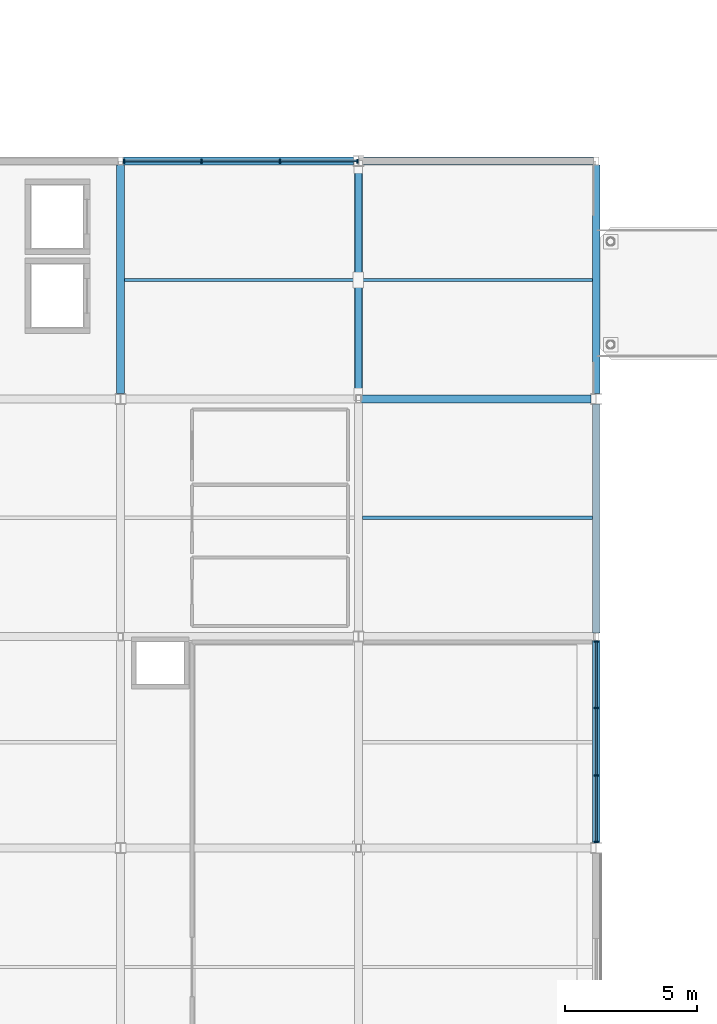
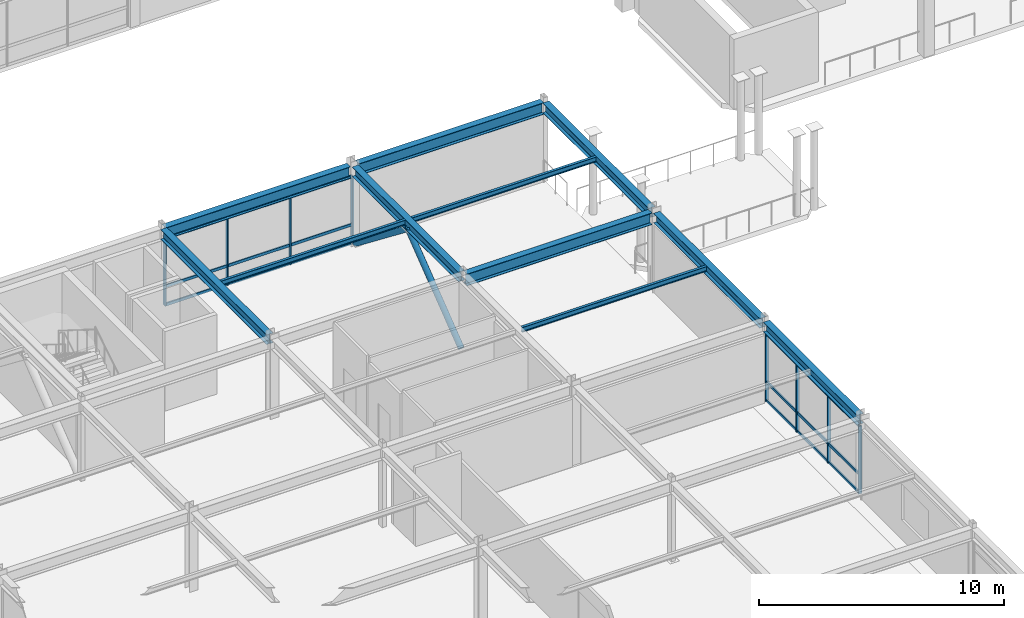
# One storey, part 30 of 105: 28 members, 11 beams, 2 elements without a shape of their own.
"""IFC4 building model written with IfcOpenShell, lengths in metres."""

from ifc_helpers import new_model, si_unit, direction, frame, origin, origin_2d, place, context, subcontext, project, spatial, rectangle, hollow_circle, i_section, extrude, material, material_profile, profile_set, type_object, element, aggregate, save


model = new_model("IFC4")

# Units and contexts
model_context = context("Model", 3, precision=1e-05, world=origin(), true_north=direction((0.0, 1.0)))
body_context = subcontext(model_context, "Body", "Model", "MODEL_VIEW")
ifc_project = project(units=[si_unit("LENGTHUNIT", "METRE"), si_unit("AREAUNIT", "SQUARE_METRE"), si_unit("VOLUMEUNIT", "CUBIC_METRE"), si_unit("PLANEANGLEUNIT", "RADIAN"), si_unit("MASSUNIT", "GRAM", prefix="KILO")], contexts=[model_context])

# Site, building, storey
site_placement = place(None, origin())
site = spatial("IfcSite", under=ifc_project, at=site_placement, CompositionType="ELEMENT")
building_placement = place(site_placement, origin())
building = spatial("IfcBuilding", under=site, at=building_placement, Name="Suzunagisa Mobility Hub", CompositionType="ELEMENT")
storey_placement = place(building_placement, frame((0.0, 0.0, 5.10009765625)))
storey = spatial("IfcBuildingStorey", under=building, at=storey_placement, Name="L01", CompositionType="ELEMENT", Elevation=5.10009765625)

# Curtain wall, members
ifc_material_1 = material(Name="Thermally Broken Anodized Aluminum and Low-E Glazing", Category="aluminium")
curtain_wall_type_1 = type_object("IfcCurtainWallType", Name="Unitised Curtain Wall CW-28 7750x3400", PredefinedType="USERDEFINED", material=ifc_material_1)
curtain_wall_1_placement = place(storey_placement, origin())
curtain_wall_1 = element("IfcCurtainWall", 1, at=curtain_wall_1_placement, inside=storey, type_object=curtain_wall_type_1, Name="L01 Unitised Curtain Wall CW-16", ObjectType="UNITISED CURTAIN WALL", PredefinedType="USERDEFINED")
ifc_material_2 = material(Name="Anodized Aluminum 6063-T6", Category="aluminium")
ifc_material_profile_1 = material_profile(ifc_material_2, rectangle(XDim=0.06494140625, YDim=0.139892578125, at=origin_2d()), Name="TRAN-65x140")
ifc_profile_set_1 = profile_set([ifc_material_profile_1], Name="Anodized Aluminum 6063-T6")
member_type_1 = type_object("IfcMemberType", Name="Curtain Wall Framing CM-01 TRAN-65x140", PredefinedType="USERDEFINED", material=ifc_profile_set_1)
member_1_placement = place(storey_placement, frame((36.0, 36.258056640625, 0.032470703125), z_axis=(0.0, 1.0, 0.0), x_axis=(-1.0, 0.0, 0.0)))
member_1 = element("IfcMember", 2, at=member_1_placement, type_object=member_type_1, Name="Curtain Wall Transom 16-T1.1", ObjectType="TRANSOM", PredefinedType="USERDEFINED", context=body_context, shape_type="SweptSolid", body=[
    extrude(rectangle(XDim=0.06494140625, YDim=0.139892578125, at=origin_2d()), origin(), (0.0, 0.0, 1.0), 2.4638671875),
])
member_2_placement = place(storey_placement, frame((36.0, 36.258056640625, 0.949951171875), z_axis=(0.0, 1.0, 0.0), x_axis=(-1.0, 0.0, 0.0)))
member_2 = element("IfcMember", 3, at=member_2_placement, type_object=member_type_1, Name="Curtain Wall Transom 16-T1.2", ObjectType="TRANSOM", PredefinedType="USERDEFINED", context=body_context, shape_type="SweptSolid", body=[
    extrude(rectangle(XDim=0.06494140625, YDim=0.139892578125, at=origin_2d()), origin(), (0.0, 0.0, 1.0), 2.4638671875),
])
member_3_placement = place(storey_placement, frame((36.0, 36.258056640625, 3.33935546875), z_axis=(0.0, 1.0, 0.0), x_axis=(-1.0, 0.0, 0.0)))
member_3 = element("IfcMember", 4, at=member_3_placement, type_object=member_type_1, Name="Curtain Wall Transom 16-T1.3", ObjectType="TRANSOM", PredefinedType="USERDEFINED", context=body_context, shape_type="SweptSolid", body=[
    extrude(rectangle(XDim=0.06494140625, YDim=0.139892578125, at=origin_2d()), origin(), (0.0, 0.0, 1.0), 2.4638671875),
])
member_4_placement = place(storey_placement, frame((36.0, 38.778076171875, 0.032470703125), z_axis=(0.0, 1.0, 0.0), x_axis=(-1.0, 0.0, 0.0)))
member_4 = element("IfcMember", 5, at=member_4_placement, type_object=member_type_1, Name="Curtain Wall Transom 16-T2.1", ObjectType="TRANSOM", PredefinedType="USERDEFINED", context=body_context, shape_type="SweptSolid", body=[
    extrude(rectangle(XDim=0.06494140625, YDim=0.139892578125, at=origin_2d()), origin(), (0.0, 0.0, 1.0), 2.493896484375),
])
member_5_placement = place(storey_placement, frame((36.0, 38.778076171875, 0.949951171875), z_axis=(0.0, 1.0, 0.0), x_axis=(-1.0, 0.0, 0.0)))
member_5 = element("IfcMember", 6, at=member_5_placement, type_object=member_type_1, Name="Curtain Wall Transom 16-T2.2", ObjectType="TRANSOM", PredefinedType="USERDEFINED", context=body_context, shape_type="SweptSolid", body=[
    extrude(rectangle(XDim=0.06494140625, YDim=0.139892578125, at=origin_2d()), origin(), (0.0, 0.0, 1.0), 2.493896484375),
])
member_6_placement = place(storey_placement, frame((36.0, 38.778076171875, 3.33935546875), z_axis=(0.0, 1.0, 0.0), x_axis=(-1.0, 0.0, 0.0)))
member_6 = element("IfcMember", 7, at=member_6_placement, type_object=member_type_1, Name="Curtain Wall Transom 16-T2.3", ObjectType="TRANSOM", PredefinedType="USERDEFINED", context=body_context, shape_type="SweptSolid", body=[
    extrude(rectangle(XDim=0.06494140625, YDim=0.139892578125, at=origin_2d()), origin(), (0.0, 0.0, 1.0), 2.493896484375),
])
member_7_placement = place(storey_placement, frame((36.0, 41.327880859375, 0.032470703125), z_axis=(0.0, 1.0, 0.0), x_axis=(-1.0, 0.0, 0.0)))
member_7 = element("IfcMember", 8, at=member_7_placement, type_object=member_type_1, Name="Curtain Wall Transom 16-T3.1", ObjectType="TRANSOM", PredefinedType="USERDEFINED", context=body_context, shape_type="SweptSolid", body=[
    extrude(rectangle(XDim=0.06494140625, YDim=0.139892578125, at=origin_2d()), origin(), (0.0, 0.0, 1.0), 2.464111328125),
])
member_8_placement = place(storey_placement, frame((36.0, 41.327880859375, 0.949951171875), z_axis=(0.0, 1.0, 0.0), x_axis=(-1.0, 0.0, 0.0)))
member_8 = element("IfcMember", 9, at=member_8_placement, type_object=member_type_1, Name="Curtain Wall Transom 16-T3.2", ObjectType="TRANSOM", PredefinedType="USERDEFINED", context=body_context, shape_type="SweptSolid", body=[
    extrude(rectangle(XDim=0.06494140625, YDim=0.139892578125, at=origin_2d()), origin(), (0.0, 0.0, 1.0), 2.464111328125),
])
member_9_placement = place(storey_placement, frame((36.0, 41.327880859375, 3.33935546875), z_axis=(0.0, 1.0, 0.0), x_axis=(-1.0, 0.0, 0.0)))
member_9 = element("IfcMember", 10, at=member_9_placement, type_object=member_type_1, Name="Curtain Wall Transom 16-T3.3", ObjectType="TRANSOM", PredefinedType="USERDEFINED", context=body_context, shape_type="SweptSolid", body=[
    extrude(rectangle(XDim=0.06494140625, YDim=0.139892578125, at=origin_2d()), origin(), (0.0, 0.0, 1.0), 2.464111328125),
])

curtain_wall_type_2 = type_object("IfcCurtainWallType", Name="Unitised Curtain Wall CW-41 9000x3400", PredefinedType="USERDEFINED", material=ifc_material_1)
curtain_wall_2_placement = place(storey_placement, origin())
curtain_wall_2 = element("IfcCurtainWall", 11, at=curtain_wall_2_placement, inside=storey, type_object=curtain_wall_type_2, Name="L01 Unitised Curtain Wall CW-17", ObjectType="UNITISED CURTAIN WALL", PredefinedType="USERDEFINED")
member_10_placement = place(storey_placement, frame((26.9375, 62.0, 0.032470703125), z_axis=(-1.0, 0.0, 0.0), x_axis=(0.0, -1.0, 0.0)))
member_10 = element("IfcMember", 12, at=member_10_placement, type_object=member_type_1, Name="Curtain Wall Transom 17-T1.1", ObjectType="TRANSOM", PredefinedType="USERDEFINED", context=body_context, shape_type="SweptSolid", body=[
    extrude(rectangle(XDim=0.06494140625, YDim=0.139892578125, at=origin_2d()), origin(), (0.0, 0.0, 1.0), 2.879150390625),
])
member_11_placement = place(storey_placement, frame((26.9375, 62.0, 0.949951171875), z_axis=(-1.0, 0.0, 0.0), x_axis=(0.0, -1.0, 0.0)))
member_11 = element("IfcMember", 13, at=member_11_placement, type_object=member_type_1, Name="Curtain Wall Transom 17-T1.2", ObjectType="TRANSOM", PredefinedType="USERDEFINED", context=body_context, shape_type="SweptSolid", body=[
    extrude(rectangle(XDim=0.06494140625, YDim=0.139892578125, at=origin_2d()), origin(), (0.0, 0.0, 1.0), 2.879150390625),
])
member_12_placement = place(storey_placement, frame((26.9375, 62.0, 3.33935546875), z_axis=(-1.0, 0.0, 0.0), x_axis=(0.0, -1.0, 0.0)))
member_12 = element("IfcMember", 14, at=member_12_placement, type_object=member_type_1, Name="Curtain Wall Transom 17-T1.3", ObjectType="TRANSOM", PredefinedType="USERDEFINED", context=body_context, shape_type="SweptSolid", body=[
    extrude(rectangle(XDim=0.06494140625, YDim=0.139892578125, at=origin_2d()), origin(), (0.0, 0.0, 1.0), 2.879150390625),
])
member_13_placement = place(storey_placement, frame((24.002197265625, 62.0, 0.032470703125), z_axis=(-1.0, 0.0, 0.0), x_axis=(0.0, -1.0, 0.0)))
member_13 = element("IfcMember", 15, at=member_13_placement, type_object=member_type_1, Name="Curtain Wall Transom 17-T2.1", ObjectType="TRANSOM", PredefinedType="USERDEFINED", context=body_context, shape_type="SweptSolid", body=[
    extrude(rectangle(XDim=0.06494140625, YDim=0.139892578125, at=origin_2d()), origin(), (0.0, 0.0, 1.0), 2.908935546875),
])
member_14_placement = place(storey_placement, frame((24.002197265625, 62.0, 0.949951171875), z_axis=(-1.0, 0.0, 0.0), x_axis=(0.0, -1.0, 0.0)))
member_14 = element("IfcMember", 16, at=member_14_placement, type_object=member_type_1, Name="Curtain Wall Transom 17-T2.2", ObjectType="TRANSOM", PredefinedType="USERDEFINED", context=body_context, shape_type="SweptSolid", body=[
    extrude(rectangle(XDim=0.06494140625, YDim=0.139892578125, at=origin_2d()), origin(), (0.0, 0.0, 1.0), 2.908935546875),
])
member_15_placement = place(storey_placement, frame((24.002197265625, 62.0, 3.33935546875), z_axis=(-1.0, 0.0, 0.0), x_axis=(0.0, -1.0, 0.0)))
member_15 = element("IfcMember", 17, at=member_15_placement, type_object=member_type_1, Name="Curtain Wall Transom 17-T2.3", ObjectType="TRANSOM", PredefinedType="USERDEFINED", context=body_context, shape_type="SweptSolid", body=[
    extrude(rectangle(XDim=0.06494140625, YDim=0.139892578125, at=origin_2d()), origin(), (0.0, 0.0, 1.0), 2.908935546875),
])
member_16_placement = place(storey_placement, frame((21.037109375, 62.0, 0.032470703125), z_axis=(-1.0, 0.0, 0.0), x_axis=(0.0, -1.0, 0.0)))
member_16 = element("IfcMember", 18, at=member_16_placement, type_object=member_type_1, Name="Curtain Wall Transom 17-T3.1", ObjectType="TRANSOM", PredefinedType="USERDEFINED", context=body_context, shape_type="SweptSolid", body=[
    extrude(rectangle(XDim=0.06494140625, YDim=0.139892578125, at=origin_2d()), origin(), (0.0, 0.0, 1.0), 2.879150390625),
])
member_17_placement = place(storey_placement, frame((21.037109375, 62.0, 0.949951171875), z_axis=(-1.0, 0.0, 0.0), x_axis=(0.0, -1.0, 0.0)))
member_17 = element("IfcMember", 19, at=member_17_placement, type_object=member_type_1, Name="Curtain Wall Transom 17-T3.2", ObjectType="TRANSOM", PredefinedType="USERDEFINED", context=body_context, shape_type="SweptSolid", body=[
    extrude(rectangle(XDim=0.06494140625, YDim=0.139892578125, at=origin_2d()), origin(), (0.0, 0.0, 1.0), 2.879150390625),
])
member_18_placement = place(storey_placement, frame((21.037109375, 62.0, 3.33935546875), z_axis=(-1.0, 0.0, 0.0), x_axis=(0.0, -1.0, 0.0)))
member_18 = element("IfcMember", 20, at=member_18_placement, type_object=member_type_1, Name="Curtain Wall Transom 17-T3.3", ObjectType="TRANSOM", PredefinedType="USERDEFINED", context=body_context, shape_type="SweptSolid", body=[
    extrude(rectangle(XDim=0.06494140625, YDim=0.139892578125, at=origin_2d()), origin(), (0.0, 0.0, 1.0), 2.879150390625),
])

# Member
ifc_material_profile_2 = material_profile(ifc_material_2, rectangle(XDim=0.06005859375, YDim=0.14990234375, at=origin_2d()), Name="MULL-60x150")
ifc_profile_set_2 = profile_set([ifc_material_profile_2], Name="Anodized Aluminum 6063-T6")
member_type_2 = type_object("IfcMemberType", Name="Curtain Wall Framing CM-03 MULL-60x150", PredefinedType="MULLION", material=ifc_profile_set_2)
member_19_placement = place(storey_placement, frame((36.0, 36.22998046875, 0.0), z_axis=(0.0, 0.0, 1.0), x_axis=(0.0, 1.0, 0.0)))
member_19 = element("IfcMember", 21, at=member_19_placement, type_object=member_type_2, Name="Curtain Wall Mullion 16-M1", PredefinedType="MULLION", context=body_context, shape_type="SweptSolid", body=[
    extrude(rectangle(XDim=0.06005859375, YDim=0.14990234375, at=origin_2d()), origin(), (0.0, 0.0, 1.0), 3.371826171875),
])

member_20_placement = place(storey_placement, frame((36.0, 38.75, 0.0), z_axis=(0.0, 0.0, 1.0), x_axis=(0.0, 1.0, 0.0)))
member_20 = element("IfcMember", 22, at=member_20_placement, type_object=member_type_2, Name="Curtain Wall Mullion 16-M2", PredefinedType="MULLION", context=body_context, shape_type="SweptSolid", body=[
    extrude(rectangle(XDim=0.06005859375, YDim=0.14990234375, at=origin_2d()), origin(), (0.0, 0.0, 1.0), 3.371826171875),
])

member_21_placement = place(storey_placement, frame((36.0, 41.300048828125, 0.0), z_axis=(0.0, 0.0, 1.0), x_axis=(0.0, 1.0, 0.0)))
member_21 = element("IfcMember", 23, at=member_21_placement, type_object=member_type_2, Name="Curtain Wall Mullion 16-M3", PredefinedType="MULLION", context=body_context, shape_type="SweptSolid", body=[
    extrude(rectangle(XDim=0.06005859375, YDim=0.14990234375, at=origin_2d()), origin(), (0.0, 0.0, 1.0), 3.371826171875),
])

member_22_placement = place(storey_placement, frame((36.0, 43.820068359375, 0.0), z_axis=(0.0, 0.0, 1.0), x_axis=(0.0, 1.0, 0.0)))
member_22 = element("IfcMember", 24, at=member_22_placement, type_object=member_type_2, Name="Curtain Wall Mullion 16-M4", PredefinedType="MULLION", context=body_context, shape_type="SweptSolid", body=[
    extrude(rectangle(XDim=0.06005859375, YDim=0.14990234375, at=origin_2d()), origin(), (0.0, 0.0, 1.0), 3.371826171875),
])

aggregate(curtain_wall_1, [member_19, member_20, member_21, member_22, member_1, member_2, member_3, member_4, member_5, member_6, member_7, member_8, member_9])

member_23_placement = place(storey_placement, frame((26.965576171875, 62.0, 0.0), z_axis=(0.0, 0.0, 1.0), x_axis=(-1.0, 0.0, 0.0)))
member_23 = element("IfcMember", 25, at=member_23_placement, type_object=member_type_2, Name="Curtain Wall Mullion 17-M1", PredefinedType="MULLION", context=body_context, shape_type="SweptSolid", body=[
    extrude(rectangle(XDim=0.06005859375, YDim=0.14990234375, at=origin_2d()), origin(), (0.0, 0.0, 1.0), 3.371826171875),
])

member_24_placement = place(storey_placement, frame((24.0302734375, 62.0, 0.0), z_axis=(0.0, 0.0, 1.0), x_axis=(-1.0, 0.0, 0.0)))
member_24 = element("IfcMember", 26, at=member_24_placement, type_object=member_type_2, Name="Curtain Wall Mullion 17-M2", PredefinedType="MULLION", context=body_context, shape_type="SweptSolid", body=[
    extrude(rectangle(XDim=0.06005859375, YDim=0.14990234375, at=origin_2d()), origin(), (0.0, 0.0, 1.0), 3.371826171875),
])

member_25_placement = place(storey_placement, frame((21.065185546875, 62.0, 0.0), z_axis=(0.0, 0.0, 1.0), x_axis=(-1.0, 0.0, 0.0)))
member_25 = element("IfcMember", 27, at=member_25_placement, type_object=member_type_2, Name="Curtain Wall Mullion 17-M3", PredefinedType="MULLION", context=body_context, shape_type="SweptSolid", body=[
    extrude(rectangle(XDim=0.06005859375, YDim=0.14990234375, at=origin_2d()), origin(), (0.0, 0.0, 1.0), 3.371826171875),
])

member_26_placement = place(storey_placement, frame((18.1298828125, 62.0, 0.0), z_axis=(0.0, 0.0, 1.0), x_axis=(-1.0, 0.0, 0.0)))
member_26 = element("IfcMember", 28, at=member_26_placement, type_object=member_type_2, Name="Curtain Wall Mullion 17-M4", PredefinedType="MULLION", context=body_context, shape_type="SweptSolid", body=[
    extrude(rectangle(XDim=0.06005859375, YDim=0.14990234375, at=origin_2d()), origin(), (0.0, 0.0, 1.0), 3.371826171875),
])

aggregate(curtain_wall_2, [member_23, member_24, member_25, member_26, member_10, member_11, member_12, member_13, member_14, member_15, member_16, member_17, member_18])

# Members
ifc_material_3 = material(Name="Steel SN490B", Category="steel")
ifc_material_profile_3 = material_profile(ifc_material_3, hollow_circle(Radius=0.1337890625, WallThickness=0.00927734375, at=origin_2d()), Name="CHS-267.4x9.3")
ifc_profile_set_3 = profile_set([ifc_material_profile_3], Name="Steel SN490B")
member_type_3 = type_object("IfcMemberType", Name="Roof Truss and Brace Member MB-06 CHS-267.4x9.3", PredefinedType="BRACE", material=ifc_profile_set_3)
member_27_placement = place(storey_placement, frame((27.0, 53.169921875, 0.119873046875), z_axis=(0.0, 0.79197780909, 0.610549875039), x_axis=(-1.0, 0.0, 0.0)))
element("IfcMember", 29, at=member_27_placement, inside=storey, type_object=member_type_3, Name="L01 Concentric Lateral Brace BR-11", PredefinedType="BRACE", context=body_context, shape_type="SweptSolid", body=[
    extrude(hollow_circle(Radius=0.1337890625, WallThickness=0.00927734375, at=origin_2d()), origin(), (0.0, 0.0, 1.0), 5.467529296875),
])
member_28_placement = place(storey_placement, frame((27.0, 61.780029296875, 0.119873046875), z_axis=(0.0, -0.788528044406, 0.614998799336), x_axis=(1.0, 0.0, 0.0)))
element("IfcMember", 30, at=member_28_placement, inside=storey, type_object=member_type_3, Name="L01 Concentric Lateral Brace BR-12", PredefinedType="BRACE", context=body_context, shape_type="SweptSolid", body=[
    extrude(hollow_circle(Radius=0.1337890625, WallThickness=0.00927734375, at=origin_2d()), origin(), (0.0, 0.0, 1.0), 5.427978515625),
])

# Beams
ifc_material_profile_4 = material_profile(ifc_material_3, i_section(OverallWidth=0.300048828125, OverallDepth=0.488037109375, WebThickness=0.010986328125, FlangeThickness=0.01806640625, FilletRadius=0.012939453125, at=origin_2d()), Name="H-488x300x11x18")
ifc_profile_set_4 = profile_set([ifc_material_profile_4], Name="Steel SN490B")
beam_type_1 = type_object("IfcBeamType", Name="Steel Beam BM-06 H-488x300x11x18", PredefinedType="BEAM", material=ifc_profile_set_4)
for number, where, z_axis, x_axis, name in (
    (31, (18.0, 53.196044921875, 3.7158203125), (0.0, 1.0, 0.0), (-1.0, 0.0, 0.0), "L01 Primary Girder GY-224"),
    (32, (27.0, 53.14599609375, 3.7158203125), (0.0, 1.0, 0.0), (-1.0, 0.0, 0.0), "L01 Primary Girder GY-230"),
):
    element("IfcBeam", number, at=place(storey_placement, frame(where, z_axis=z_axis, x_axis=x_axis)), inside=storey, type_object=beam_type_1, Name=name, PredefinedType="BEAM", context=body_context, shape_type="SweptSolid", body=[
        extrude(i_section(OverallWidth=0.300048828125, OverallDepth=0.488037109375, WebThickness=0.010986328125, FlangeThickness=0.01806640625, FilletRadius=0.012939453125, at=origin_2d()), origin(), (0.0, 0.0, 1.0), 8.657958984375),
    ])
beam_placement = place(storey_placement, frame((36.0, 36.196044921875, 3.7158203125), z_axis=(0.0, 1.0, 0.0), x_axis=(-1.0, 0.0, 0.0)))
element("IfcBeam", 33, at=beam_placement, inside=storey, type_object=beam_type_1, Name="L01 Primary Girder GY-234", PredefinedType="BEAM", context=body_context, shape_type="SweptSolid", body=[
    extrude(i_section(OverallWidth=0.300048828125, OverallDepth=0.488037109375, WebThickness=0.010986328125, FlangeThickness=0.01806640625, FilletRadius=0.012939453125, at=origin_2d()), origin(), (0.0, 0.0, 1.0), 7.657958984375),
])
for number, where, z_axis, x_axis, name in (
    (34, (36.0, 44.14599609375, 3.7158203125), (0.0, 1.0, 0.0), (-1.0, 0.0, 0.0), "L01 Primary Girder GY-235"),
    (35, (36.0, 53.196044921875, 3.7158203125), (0.0, 1.0, 0.0), (-1.0, 0.0, 0.0), "L01 Primary Girder GY-236"),
):
    element("IfcBeam", number, at=place(storey_placement, frame(where, z_axis=z_axis, x_axis=x_axis)), inside=storey, type_object=beam_type_1, Name=name, PredefinedType="BEAM", context=body_context, shape_type="SweptSolid", body=[
        extrude(i_section(OverallWidth=0.300048828125, OverallDepth=0.488037109375, WebThickness=0.010986328125, FlangeThickness=0.01806640625, FilletRadius=0.012939453125, at=origin_2d()), origin(), (0.0, 0.0, 1.0), 8.657958984375),
    ])
ifc_material_profile_5 = material_profile(ifc_material_3, i_section(OverallWidth=0.300048828125, OverallDepth=0.587890625, WebThickness=0.011962890625, FlangeThickness=0.02001953125, FilletRadius=0.012939453125, at=origin_2d()), Name="H-588x300x12x20")
ifc_profile_set_5 = profile_set([ifc_material_profile_5], Name="Steel SN490B")
beam_type_2 = type_object("IfcBeamType", Name="Steel Beam BM-16 H-588x300x12x20", PredefinedType="BEAM", material=ifc_profile_set_5)
for number, where, z_axis, x_axis, name in (
    (36, (27.095947265625, 53.0, 3.666015625), (1.0, 0.0, 0.0), (0.0, 1.0, 0.0), "L01 Primary Girder GX-203"),
    (37, (18.095947265625, 62.0, 3.666015625), (1.0, 0.0, 0.0), (0.0, 1.0, 0.0), "L01 Primary Girder GX-206"),
    (38, (27.196044921875, 62.0, 3.666015625), (1.0, 0.0, 0.0), (0.0, 1.0, 0.0), "L01 Primary Girder GX-207"),
):
    element("IfcBeam", number, at=place(storey_placement, frame(where, z_axis=z_axis, x_axis=x_axis)), inside=storey, type_object=beam_type_2, Name=name, PredefinedType="BEAM", context=body_context, shape_type="SweptSolid", body=[
        extrude(i_section(OverallWidth=0.300048828125, OverallDepth=0.587890625, WebThickness=0.011962890625, FlangeThickness=0.02001953125, FilletRadius=0.012939453125, at=origin_2d()), origin(), (0.0, 0.0, 1.0), 8.7080078125),
    ])
ifc_material_4 = material(Name="Steel SN400B", Category="steel")
ifc_material_profile_6 = material_profile(ifc_material_4, i_section(OverallWidth=0.125, OverallDepth=0.25, WebThickness=0.006103515625, FlangeThickness=0.009033203125, FilletRadius=0.008056640625, at=origin_2d()), Name="H-250x125x6x9")
ifc_profile_set_6 = profile_set([ifc_material_profile_6], Name="Steel SN400B")
beam_type_3 = type_object("IfcBeamType", Name="Steel Beam BM-21 H-250x125x6x9", PredefinedType="JOIST", material=ifc_profile_set_6)
for number, where, z_axis, x_axis, name in (
    (39, (18.14990234375, 57.5, 3.8349609375), (1.0, 0.0, 0.0), (0.0, 1.0, 0.0), "L01 Composite Floor Joist J-251"),
    (40, (27.14990234375, 48.5, 3.8349609375), (1.0, 0.0, 0.0), (0.0, 1.0, 0.0), "L01 Composite Floor Joist J-256"),
    (41, (27.14990234375, 57.5, 3.8349609375), (1.0, 0.0, 0.0), (0.0, 1.0, 0.0), "L01 Composite Floor Joist J-257"),
):
    element("IfcBeam", number, at=place(storey_placement, frame(where, z_axis=z_axis, x_axis=x_axis)), inside=storey, type_object=beam_type_3, Name=name, PredefinedType="JOIST", context=body_context, shape_type="SweptSolid", body=[
        extrude(i_section(OverallWidth=0.125, OverallDepth=0.25, WebThickness=0.006103515625, FlangeThickness=0.009033203125, FilletRadius=0.008056640625, at=origin_2d()), origin(), (0.0, 0.0, 1.0), 8.7001953125),
    ])

save(model, "model.ifc")
